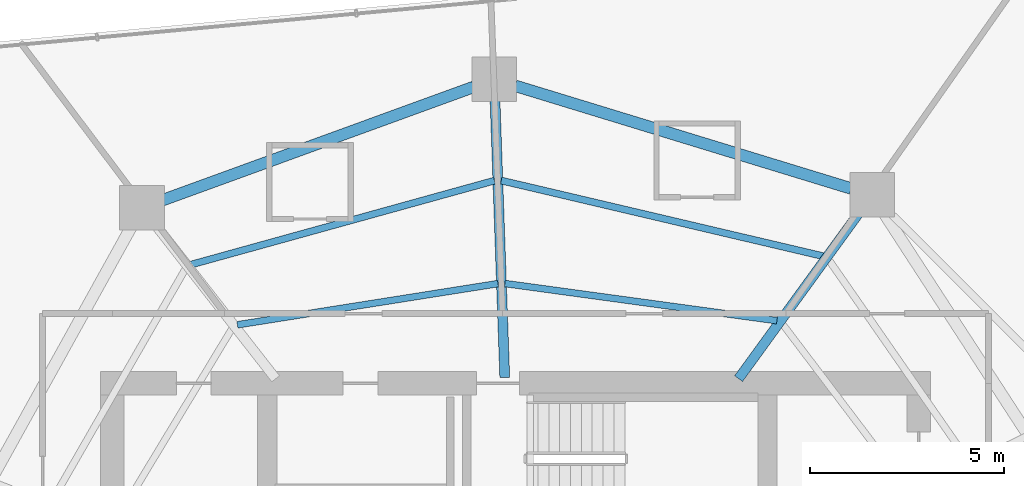
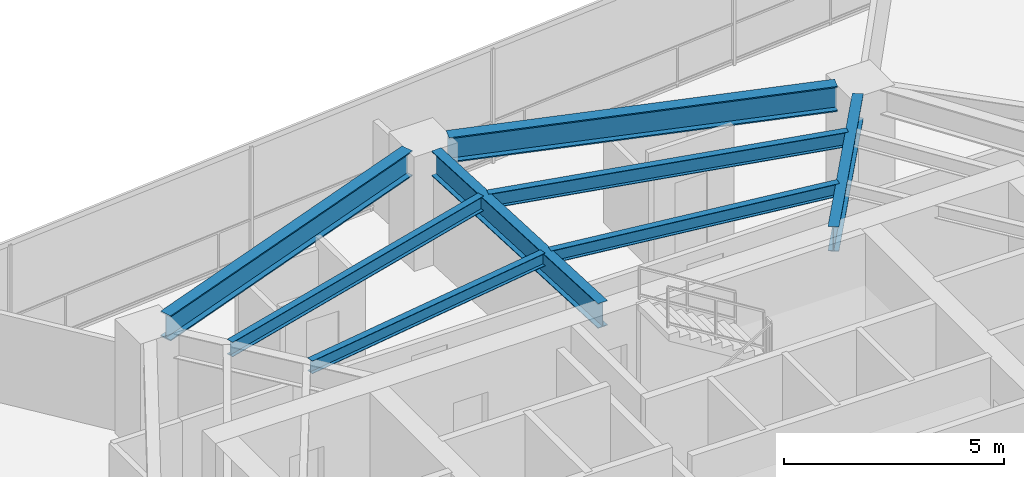
# One storey, part 17 of 30: 8 beams.
"""IFC4 building model written with IfcOpenShell, lengths in metres."""

from ifc_helpers import new_model, si_unit, direction, frame, origin, origin_2d, place, context, subcontext, project, spatial, i_section, extrude, material, material_profile, profile_set, type_object, element, save


model = new_model("IFC4")

# Units and contexts
model_context = context("Model", 3, precision=1e-05, world=origin(), true_north=direction((0.0, 1.0)))
body_context = subcontext(model_context, "Body", "Model", "MODEL_VIEW")
ifc_project = project(units=[si_unit("LENGTHUNIT", "METRE"), si_unit("AREAUNIT", "SQUARE_METRE"), si_unit("VOLUMEUNIT", "CUBIC_METRE"), si_unit("PLANEANGLEUNIT", "RADIAN"), si_unit("MASSUNIT", "GRAM", prefix="KILO")], contexts=[model_context])

# Site, building, storey
site_placement = place(None, origin())
site = spatial("IfcSite", under=ifc_project, at=site_placement, CompositionType="ELEMENT")
building_placement = place(site_placement, origin())
building = spatial("IfcBuilding", under=site, at=building_placement, Name="Qarnah Convention Tower", CompositionType="ELEMENT")
storey_placement = place(building_placement, frame((0.0, 0.0, 86.699951171875)))
storey = spatial("IfcBuildingStorey", under=building, at=storey_placement, Name="L22", CompositionType="ELEMENT", Elevation=86.699951171875)

# Beams
ifc_material = material(Name="Structural steel S355JR", Category="steel")
ifc_material_profile_1 = material_profile(ifc_material, i_section(OverallWidth=0.172119140625, OverallDepth=0.35595703125, WebThickness=0.007080078125, FlangeThickness=0.011962890625, at=origin_2d()), Name="W360X51")
ifc_profile_set_1 = profile_set([ifc_material_profile_1], Name="Structural steel S355JR")
beam_type_1 = type_object("IfcBeamType", Name="BM-JST-W360", PredefinedType="JOIST", material=ifc_profile_set_1)
beam_1_placement = place(storey_placement, frame((43.944091796875, 35.81591796875, 2.991943359375), z_axis=(-0.99079026903, 0.135405475498, 0.0), x_axis=(-0.135405475498, -0.99079026903, 0.0)))
element("IfcBeam", 1, at=beam_1_placement, inside=storey, type_object=beam_type_1, Name="L22 joist BM-L22-IJST-02", PredefinedType="JOIST", context=body_context, shape_type="SweptSolid", body=[
    extrude(i_section(OverallWidth=0.172119140625, OverallDepth=0.35595703125, WebThickness=0.007080078125, FlangeThickness=0.011962890625, at=origin_2d()), origin(), (0.0, 0.0, 1.0), 7.082275390625),
])
beam_2_placement = place(storey_placement, frame((36.7490234375, 36.77294921875, 2.991943359375), z_axis=(-0.987730371852, -0.156168858996, 0.0), x_axis=(0.156168858996, -0.987730371852, 0.0)))
element("IfcBeam", 2, at=beam_2_placement, inside=storey, type_object=beam_type_1, Name="L22 joist BM-L22-IJST-03", PredefinedType="JOIST", context=body_context, shape_type="SweptSolid", body=[
    extrude(i_section(OverallWidth=0.172119140625, OverallDepth=0.35595703125, WebThickness=0.007080078125, FlangeThickness=0.011962890625, at=origin_2d()), origin(), (0.0, 0.0, 1.0), 6.806640625),
])
ifc_material_profile_2 = material_profile(ifc_material, i_section(OverallWidth=0.177978515625, OverallDepth=0.407958984375, WebThickness=0.008056640625, FlangeThickness=0.012939453125, at=origin_2d()), Name="W410X60")
ifc_profile_set_2 = profile_set([ifc_material_profile_2], Name="Structural steel S355JR")
beam_type_2 = type_object("IfcBeamType", Name="BM-JST-W410", PredefinedType="JOIST", material=ifc_profile_set_2)
beam_3_placement = place(storey_placement, frame((45.14501953125, 37.47802734375, 2.966064453125), z_axis=(-0.973473006102, 0.228801893328, 0.0), x_axis=(-0.228801893328, -0.973473006102, 0.0)))
element("IfcBeam", 3, at=beam_3_placement, inside=storey, type_object=beam_type_2, Name="L22 joist BM-L22-SJST-02", PredefinedType="JOIST", context=body_context, shape_type="SweptSolid", body=[
    extrude(i_section(OverallWidth=0.177978515625, OverallDepth=0.407958984375, WebThickness=0.008056640625, FlangeThickness=0.012939453125, at=origin_2d()), origin(), (0.0, 0.0, 1.0), 8.53955078125),
])
beam_4_placement = place(storey_placement, frame((36.656982421875, 39.428955078125, 2.966064453125), z_axis=(-0.963761857739, -0.266764093474, 0.0), x_axis=(0.266764093474, -0.963761857739, 0.0)))
element("IfcBeam", 4, at=beam_4_placement, inside=storey, type_object=beam_type_2, Name="L22 joist BM-L22-SJST-03", PredefinedType="JOIST", context=body_context, shape_type="SweptSolid", body=[
    extrude(i_section(OverallWidth=0.177978515625, OverallDepth=0.407958984375, WebThickness=0.008056640625, FlangeThickness=0.012939453125, at=origin_2d()), origin(), (0.0, 0.0, 1.0), 8.130615234375),
])
ifc_material_profile_3 = material_profile(ifc_material, i_section(OverallWidth=0.25390625, OverallDepth=0.68798828125, WebThickness=0.012939453125, FlangeThickness=0.02099609375, at=origin_2d()), Name="W690X152")
ifc_profile_set_3 = profile_set([ifc_material_profile_3], Name="Structural steel S355JR")
beam_type_3 = type_object("IfcBeamType", Name="BM-RAD-W690", PredefinedType="BEAM", material=ifc_profile_set_3)
beam_5_placement = place(storey_placement, frame((42.955078125, 34.321044921875, 2.825927734375), z_axis=(0.587824069471, 0.808988790621, 0.0), x_axis=(-0.808988790621, 0.587824069471, 0.0)))
element("IfcBeam", 5, at=beam_5_placement, inside=storey, type_object=beam_type_3, Name="L22 beam BM-L22-RAD-02", PredefinedType="BEAM", context=body_context, shape_type="SweptSolid", body=[
    extrude(i_section(OverallWidth=0.25390625, OverallDepth=0.68798828125, WebThickness=0.012939453125, FlangeThickness=0.02099609375, at=origin_2d()), origin(), (0.0, 0.0, 1.0), 5.30419921875),
])
beam_6_placement = place(storey_placement, frame((36.923095703125, 34.35009765625, 2.825927734375), z_axis=(-0.035017005912, 0.99938671659, 0.0), x_axis=(-0.99938671659, -0.035017005912, 0.0)))
element("IfcBeam", 6, at=beam_6_placement, inside=storey, type_object=beam_type_3, Name="L22 beam BM-L22-RAD-03", PredefinedType="BEAM", context=body_context, shape_type="SweptSolid", body=[
    extrude(i_section(OverallWidth=0.25390625, OverallDepth=0.68798828125, WebThickness=0.012939453125, FlangeThickness=0.02099609375, at=origin_2d()), origin(), (0.0, 0.0, 1.0), 7.139404296875),
])
ifc_material_profile_4 = material_profile(ifc_material, i_section(OverallWidth=0.300048828125, OverallDepth=0.699951171875, WebThickness=0.01708984375, FlangeThickness=0.031982421875, at=origin_2d()), Name="HEB700")
ifc_profile_set_4 = profile_set([ifc_material_profile_4], Name="Structural steel S355JR")
beam_type_4 = type_object("IfcBeamType", Name="BM-RING-HEB700", PredefinedType="BEAM", material=ifc_profile_set_4)
beam_7_placement = place(storey_placement, frame((45.85888671875, 39.22607421875, 2.820068359375), z_axis=(-0.956309936148, 0.292354760565, 0.0), x_axis=(-0.292354760565, -0.956309936148, 0.0)))
element("IfcBeam", 7, at=beam_7_placement, inside=storey, type_object=beam_type_4, Name="L22 beam BM-L22-SPN-02", PredefinedType="BEAM", context=body_context, shape_type="SweptSolid", body=[
    extrude(i_section(OverallWidth=0.300048828125, OverallDepth=0.699951171875, WebThickness=0.01708984375, FlangeThickness=0.031982421875, at=origin_2d()), origin(), (0.0, 0.0, 1.0), 9.060546875),
])
beam_8_placement = place(storey_placement, frame((36.123046875, 41.846923828125, 2.820068359375), z_axis=(-0.939683226771, -0.342045952067, 0.0), x_axis=(0.342045952067, -0.939683226771, 0.0)))
element("IfcBeam", 8, at=beam_8_placement, inside=storey, type_object=beam_type_4, Name="L22 beam BM-L22-SPN-03", PredefinedType="BEAM", context=body_context, shape_type="SweptSolid", body=[
    extrude(i_section(OverallWidth=0.300048828125, OverallDepth=0.699951171875, WebThickness=0.01708984375, FlangeThickness=0.031982421875, at=origin_2d()), origin(), (0.0, 0.0, 1.0), 8.542236328125),
])

save(model, "model.ifc")
